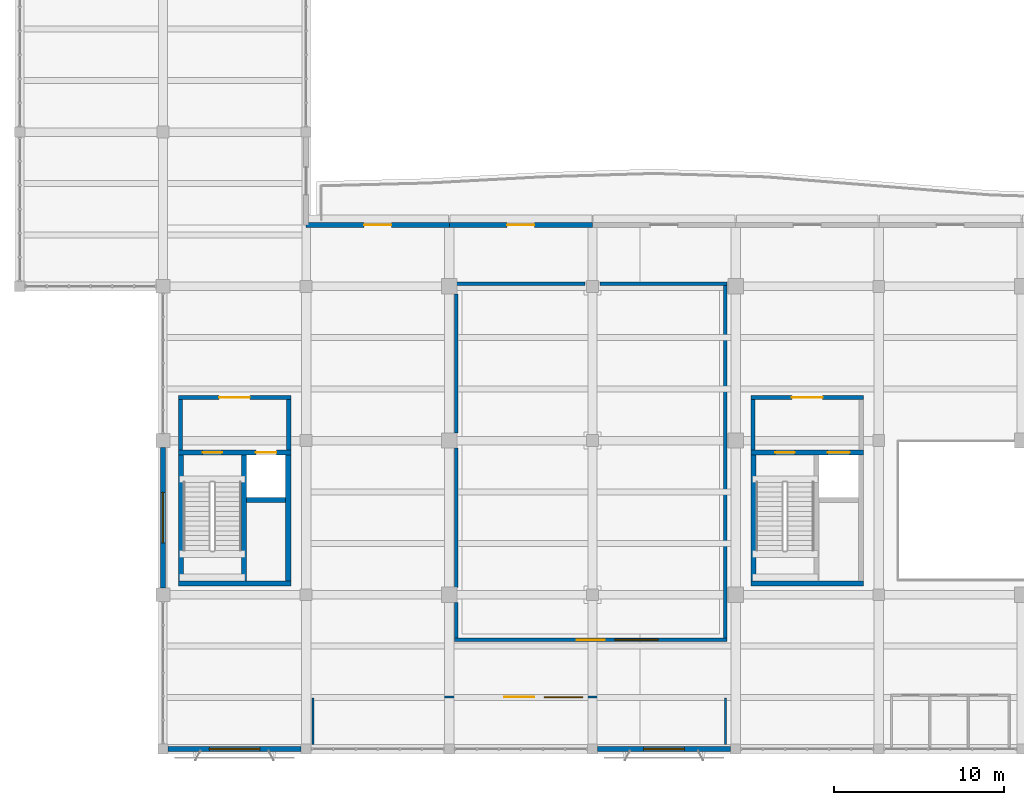
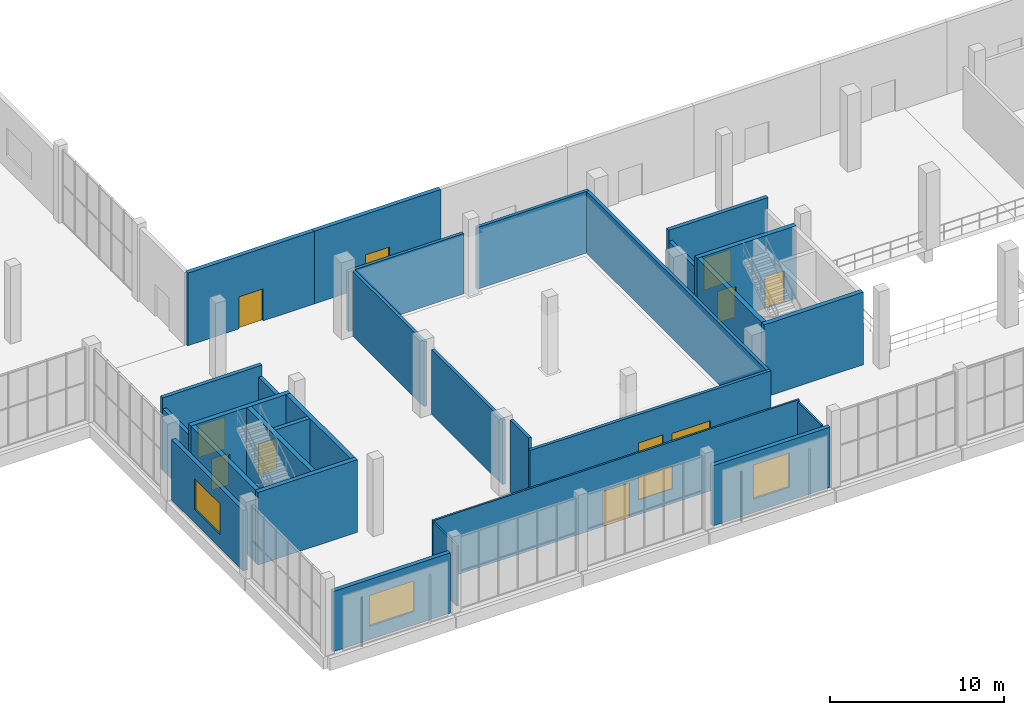
# One storey, part 111 of 132: 29 walls, 10 doors, 5 windows, 15 openings.
"""IFC4 building model written with IfcOpenShell, lengths in metres."""

from ifc_helpers import new_model, si_unit, direction, frame, frame_2d, origin, place, context, subcontext, project, spatial, rectangle, extrude, material, layer, layer_set, type_object, element, fill, save


model = new_model("IFC4")

# Units and contexts
model_context = context("Model", 3, precision=1e-05, world=origin(), true_north=direction((0.0, 1.0)))
body_context = subcontext(model_context, "Body", "Model", "MODEL_VIEW")
ifc_project = project(units=[si_unit("LENGTHUNIT", "METRE"), si_unit("AREAUNIT", "SQUARE_METRE"), si_unit("VOLUMEUNIT", "CUBIC_METRE"), si_unit("PLANEANGLEUNIT", "RADIAN"), si_unit("MASSUNIT", "GRAM", prefix="KILO")], contexts=[model_context])

# Site, building, storey
site_placement = place(None, origin())
site = spatial("IfcSite", under=ifc_project, at=site_placement, CompositionType="ELEMENT")
building_placement = place(site_placement, origin())
building = spatial("IfcBuilding", under=site, at=building_placement, Name="Khurvash Pelagic Aquarium", CompositionType="ELEMENT")
storey_placement = place(building_placement, frame((0.0, 0.0, 5.39990234375)))
storey = spatial("IfcBuildingStorey", under=building, at=storey_placement, Name="L01", CompositionType="ELEMENT", Elevation=5.39990234375)

# Wall, opening, window
ifc_material_1 = material(Name="Glass-fibre reinforced concrete C40/50", Category="concrete")
ifc_layer_1 = layer(ifc_material_1, 0.280029296875)
ifc_layer_set_1 = layer_set([ifc_layer_1], Name="Glass-fibre reinforced concrete C40/50")
wall_type_1 = type_object("IfcWallType", Name="EW-280", PredefinedType="STANDARD", material=ifc_layer_set_1)
wall_1_placement = place(storey_placement, frame((25.199951171875, 20.294921875, 0.0), z_axis=(0.0, 0.0, 1.0), x_axis=(0.0, -1.0, 0.0)))
wall_1 = element("IfcWall", 1, at=wall_1_placement, inside=storey, type_object=wall_type_1, Name="L01 Exterior Architectural Facade Wall EW-280 0038", PredefinedType="STANDARD", context=body_context, shape_type="SweptSolid", body=[
    extrude(rectangle(XDim=8.239990234375, YDim=0.280029296875, at=frame_2d((4.1201171875, 0.0))), origin(), (0.0, 0.0, 1.0), 4.25),
])
opening_1_placement = place(wall_1_placement, frame((2.639892578125, 0.0, 0.9501953125)))
opening_1 = element("IfcOpeningElement", 2, at=opening_1_placement, cuts=wall_1, Name="Opening WN-40", PredefinedType="OPENING", context=body_context, shape_type="SweptSolid", body=[
    extrude(rectangle(XDim=2.9599609375, YDim=2.159912109375, at=frame_2d((1.47998046875, 1.080078125))), frame((0.0, 0.14990234375, 0.0), z_axis=(0.0, -1.0, 0.0), x_axis=(1.0, 0.0, 0.0)), (0.0, 0.0, 1.0), 0.300048828125),
])
ifc_material_2 = material(Name="Thermally broken aluminium and low-E glass", Category="aluminium")
window_type_1 = type_object("IfcWindowType", Name="WN-40", PartitioningType="SINGLE_PANEL", PredefinedType="WINDOW", material=ifc_material_2)
window_1_placement = place(opening_1_placement, origin())
window_1 = element("IfcWindow", 3, at=window_1_placement, inside=storey, type_object=window_type_1, Name="L01 Facade Window WN-40 0018", OverallHeight=2.159912109375, OverallWidth=2.9599609375, PartitioningType="SINGLE_PANEL", PredefinedType="WINDOW", context=body_context, shape_type="SweptSolid", body=[
    extrude(rectangle(XDim=2.9599609375, YDim=2.159912109375, at=frame_2d((1.47998046875, 1.080078125))), frame((0.0, 0.030029296875, 0.0), z_axis=(0.0, -1.0, 0.0), x_axis=(1.0, 0.0, 0.0)), (0.0, 0.0, 1.0), 0.06005859375),
])
fill(opening_1, window_1)

wall_2_placement = place(storey_placement, frame((25.5048828125, 2.60009765625, 0.0), z_axis=(0.0, 0.0, 1.0), x_axis=(1.0, 0.0, 0.0)))
wall_2 = element("IfcWall", 4, at=wall_2_placement, inside=storey, type_object=wall_type_1, Name="L01 Exterior Architectural Facade Wall EW-280 0039", PredefinedType="STANDARD", context=body_context, shape_type="SweptSolid", body=[
    extrude(rectangle(XDim=7.7900390625, YDim=0.280029296875, at=frame_2d((3.89501953125, 0.0))), origin(), (0.0, 0.0, 1.0), 4.22998046875),
])
opening_2_placement = place(wall_2_placement, frame((2.4150390625, 0.0, 0.9501953125)))
opening_2 = element("IfcOpeningElement", 5, at=opening_2_placement, cuts=wall_2, Name="Opening WN-40", PredefinedType="OPENING", context=body_context, shape_type="SweptSolid", body=[
    extrude(rectangle(XDim=2.9599609375, YDim=2.159912109375, at=frame_2d((1.47998046875, 1.080078125))), frame((0.0, 0.14990234375, 0.0), z_axis=(0.0, -1.0, 0.0), x_axis=(1.0, 0.0, 0.0)), (0.0, 0.0, 1.0), 0.300048828125),
])
window_2_placement = place(opening_2_placement, origin())
window_2 = element("IfcWindow", 6, at=window_2_placement, inside=storey, type_object=window_type_1, Name="L01 Facade Window WN-40 0019", OverallHeight=2.159912109375, OverallWidth=2.9599609375, PartitioningType="SINGLE_PANEL", PredefinedType="WINDOW", context=body_context, shape_type="SweptSolid", body=[
    extrude(rectangle(XDim=2.9599609375, YDim=2.159912109375, at=frame_2d((1.47998046875, 1.080078125))), frame((0.0, 0.030029296875, 0.0), z_axis=(0.0, -1.0, 0.0), x_axis=(1.0, 0.0, 0.0)), (0.0, 0.0, 1.0), 0.06005859375),
])
fill(opening_2, window_2)

wall_3_placement = place(storey_placement, frame((50.705078125, 2.60009765625, 0.0), z_axis=(0.0, 0.0, 1.0), x_axis=(1.0, 0.0, 0.0)))
wall_3 = element("IfcWall", 7, at=wall_3_placement, inside=storey, type_object=wall_type_1, Name="L01 Exterior Architectural Facade Wall EW-280 0040", PredefinedType="STANDARD", context=body_context, shape_type="SweptSolid", body=[
    extrude(rectangle(XDim=7.7900390625, YDim=0.280029296875, at=frame_2d((3.89501953125, 0.0))), origin(), (0.0, 0.0, 1.0), 4.22998046875),
])
opening_3_placement = place(wall_3_placement, frame((2.695068359375, 0.0, 0.9501953125)))
opening_3 = element("IfcOpeningElement", 8, at=opening_3_placement, cuts=wall_3, Name="Opening WN-02", PredefinedType="OPENING", context=body_context, shape_type="SweptSolid", body=[
    extrude(rectangle(XDim=2.39990234375, YDim=2.39990234375, at=frame_2d((1.199951171875, 1.199951171875))), frame((0.0, 0.14990234375, 0.0), z_axis=(0.0, -1.0, 0.0), x_axis=(1.0, 0.0, 0.0)), (0.0, 0.0, 1.0), 0.300048828125),
])
window_type_2 = type_object("IfcWindowType", Name="WN-02", PartitioningType="SINGLE_PANEL", PredefinedType="WINDOW", material=ifc_material_2)
window_3_placement = place(opening_3_placement, origin())
window_3 = element("IfcWindow", 9, at=window_3_placement, inside=storey, type_object=window_type_2, Name="L01 Facade Window WN-02 0020", OverallHeight=2.39990234375, OverallWidth=2.39990234375, PartitioningType="SINGLE_PANEL", PredefinedType="WINDOW", context=body_context, shape_type="SweptSolid", body=[
    extrude(rectangle(XDim=2.39990234375, YDim=2.39990234375, at=frame_2d((1.199951171875, 1.199951171875))), frame((0.0, 0.030029296875, 0.0), z_axis=(0.0, -1.0, 0.0), x_axis=(1.0, 0.0, 0.0)), (0.0, 0.0, 1.0), 0.06005859375),
])
fill(opening_3, window_3)

# Wall, opening, door
wall_4_placement = place(storey_placement, frame((50.39990234375, 33.35009765625, 0.0), z_axis=(0.0, 0.0, 1.0), x_axis=(-1.0, 0.0, 0.0)))
wall_4 = element("IfcWall", 10, at=wall_4_placement, inside=storey, type_object=wall_type_1, Name="L01 Exterior Architectural Facade Wall EW-280 0062", PredefinedType="STANDARD", context=body_context, shape_type="SweptSolid", body=[
    extrude(rectangle(XDim=8.39990234375, YDim=0.280029296875, at=frame_2d((4.199951171875, 0.0))), origin(), (0.0, 0.0, 1.0), 5.10009765625),
])
opening_4_placement = place(wall_4_placement, frame((3.39990234375, 0.0, 0.0)))
opening_4 = element("IfcOpeningElement", 11, at=opening_4_placement, cuts=wall_4, Name="Opening ED-03", PredefinedType="OPENING", context=body_context, shape_type="SweptSolid", body=[
    extrude(rectangle(XDim=1.60009765625, YDim=2.25, at=frame_2d((0.800048828125, 1.125))), frame((0.0, 0.14990234375, 0.0), z_axis=(0.0, -1.0, 0.0), x_axis=(1.0, 0.0, 0.0)), (0.0, 0.0, 1.0), 0.300048828125),
])
ifc_material_3 = material(Name="Thermally broken glazed aluminium", Category="aluminium")
door_type_1 = type_object("IfcDoorType", Name="ED-03", OperationType="DOUBLE_DOOR_SINGLE_SWING", PredefinedType="DOOR", material=ifc_material_3)
door_1_placement = place(opening_4_placement, frame((1.60009765625, 0.0, 0.0), z_axis=(0.0, 0.0, 1.0), x_axis=(-1.0, 0.0, 0.0)))
door_1 = element("IfcDoor", 12, at=door_1_placement, inside=storey, type_object=door_type_1, Name="DR-0108", OperationType="DOUBLE_DOOR_SINGLE_SWING", OverallHeight=2.25, OverallWidth=1.60009765625, PredefinedType="DOOR", context=body_context, shape_type="SweptSolid", body=[
    extrude(rectangle(XDim=1.60009765625, YDim=2.25, at=frame_2d((0.800048828125, 1.125))), frame((0.0, 0.02490234375, 0.0), z_axis=(0.0, -1.0, 0.0), x_axis=(1.0, 0.0, 0.0)), (0.0, 0.0, 1.0), 0.050048828125),
])
fill(opening_4, door_1)

wall_5_placement = place(storey_placement, frame((42.0, 33.35009765625, 0.0), z_axis=(0.0, 0.0, 1.0), x_axis=(-1.0, 0.0, 0.0)))
wall_5 = element("IfcWall", 13, at=wall_5_placement, inside=storey, type_object=wall_type_1, Name="L01 Exterior Architectural Facade Wall EW-280 0063", PredefinedType="STANDARD", context=body_context, shape_type="SweptSolid", body=[
    extrude(rectangle(XDim=8.39990234375, YDim=0.280029296875, at=frame_2d((4.199951171875, 0.0))), origin(), (0.0, 0.0, 1.0), 5.10009765625),
])
opening_5_placement = place(wall_5_placement, frame((3.39990234375, 0.0, 0.0)))
opening_5 = element("IfcOpeningElement", 14, at=opening_5_placement, cuts=wall_5, Name="Opening ED-03", PredefinedType="OPENING", context=body_context, shape_type="SweptSolid", body=[
    extrude(rectangle(XDim=1.60009765625, YDim=2.25, at=frame_2d((0.800048828125, 1.125))), frame((0.0, 0.14990234375, 0.0), z_axis=(0.0, -1.0, 0.0), x_axis=(1.0, 0.0, 0.0)), (0.0, 0.0, 1.0), 0.300048828125),
])
door_2_placement = place(opening_5_placement, frame((1.60009765625, 0.0, 0.0), z_axis=(0.0, 0.0, 1.0), x_axis=(-1.0, 0.0, 0.0)))
door_2 = element("IfcDoor", 15, at=door_2_placement, inside=storey, type_object=door_type_1, Name="DR-0109", OperationType="DOUBLE_DOOR_SINGLE_SWING", OverallHeight=2.25, OverallWidth=1.60009765625, PredefinedType="DOOR", context=body_context, shape_type="SweptSolid", body=[
    extrude(rectangle(XDim=1.60009765625, YDim=2.25, at=frame_2d((0.800048828125, 1.125))), frame((0.0, 0.02490234375, 0.0), z_axis=(0.0, -1.0, 0.0), x_axis=(1.0, 0.0, 0.0)), (0.0, 0.0, 1.0), 0.050048828125),
])
fill(opening_5, door_2)

# Wall, openings, door, window
ifc_material_4 = material(Name="Moisture-resistant gypsum and steel stud", Category="steel")
ifc_layer_2 = layer(ifc_material_4, 0.125)
ifc_layer_set_2 = layer_set([ifc_layer_2], Name="Moisture-resistant gypsum and steel stud")
wall_type_2 = type_object("IfcWallType", Name="PW-125", PredefinedType="PARTITIONING", material=ifc_layer_set_2)
wall_6_placement = place(storey_placement, frame((33.93798828125, 5.64990234375, 0.0), z_axis=(0.0, 0.0, 1.0), x_axis=(1.0, 0.0, 0.0)))
wall_6 = element("IfcWall", 16, at=wall_6_placement, inside=storey, type_object=wall_type_2, Name="L01 Arabian Sea Coral Reef Gallery Partition Wall PW-125", PredefinedType="PARTITIONING", context=body_context, shape_type="SweptSolid", body=[
    extrude(rectangle(XDim=24.324951171875, YDim=0.125, at=frame_2d((12.16259765625, 0.0))), origin(), (0.0, 0.0, 1.0), 4.35009765625),
])
opening_6_placement = place(wall_6_placement, frame((11.281982421875, 0.0, 0.0)))
opening_6 = element("IfcOpeningElement", 17, at=opening_6_placement, cuts=wall_6, Name="Opening ID-24", PredefinedType="OPENING", context=body_context, shape_type="SweptSolid", body=[
    extrude(rectangle(XDim=1.760009765625, YDim=2.449951171875, at=frame_2d((0.8798828125, 1.22509765625))), frame((0.0, 0.072509765625, 0.0), z_axis=(0.0, -1.0, 0.0), x_axis=(1.0, 0.0, 0.0)), (0.0, 0.0, 1.0), 0.14501953125),
])
opening_7_placement = place(wall_6_placement, frame((13.64208984375, 0.0, 1.050048828125)))
opening_7 = element("IfcOpeningElement", 18, at=opening_7_placement, cuts=wall_6, Name="Opening IW-09", PredefinedType="OPENING", context=body_context, shape_type="SweptSolid", body=[
    extrude(rectangle(XDim=2.25, YDim=1.60009765625, at=frame_2d((1.125, 0.800048828125))), frame((0.0, 0.072509765625, 0.0), z_axis=(0.0, -1.0, 0.0), x_axis=(1.0, 0.0, 0.0)), (0.0, 0.0, 1.0), 0.14501953125),
])
ifc_material_5 = material(Name="Ocean overlook double door", Category="wood")
door_type_2 = type_object("IfcDoorType", Name="ID-24", OperationType="DOUBLE_DOOR_SINGLE_SWING", PredefinedType="DOOR", material=ifc_material_5)
door_3_placement = place(opening_6_placement, frame((1.760009765625, 0.0, 0.0), z_axis=(0.0, 0.0, 1.0), x_axis=(-1.0, 0.0, 0.0)))
door_3 = element("IfcDoor", 19, at=door_3_placement, inside=storey, type_object=door_type_2, Name="DR-0114", OperationType="DOUBLE_DOOR_SINGLE_SWING", OverallHeight=2.449951171875, OverallWidth=1.760009765625, PredefinedType="DOOR", context=body_context, shape_type="SweptSolid", body=[
    extrude(rectangle(XDim=1.760009765625, YDim=2.449951171875, at=frame_2d((0.8798828125, 1.22509765625))), frame((0.0, 0.02490234375, 0.0), z_axis=(0.0, -1.0, 0.0), x_axis=(1.0, 0.0, 0.0)), (0.0, 0.0, 1.0), 0.050048828125),
])
fill(opening_6, door_3)
ifc_material_6 = material(Name="Acoustic laminated interior observation glazing", Category="glass")
window_type_3 = type_object("IfcWindowType", Name="IW-09", PartitioningType="SINGLE_PANEL", PredefinedType="WINDOW", material=ifc_material_6)
window_4_placement = place(opening_7_placement, origin())
window_4 = element("IfcWindow", 20, at=window_4_placement, inside=storey, type_object=window_type_3, Name="L01 Arabian Sea Coral Reef Gallery Observation Window IW-09", OverallHeight=1.60009765625, OverallWidth=2.25, PartitioningType="SINGLE_PANEL", PredefinedType="WINDOW", context=body_context, shape_type="SweptSolid", body=[
    extrude(rectangle(XDim=2.25, YDim=1.60009765625, at=frame_2d((1.125, 0.800048828125))), frame((0.0, 0.030029296875, 0.0), z_axis=(0.0, -1.0, 0.0), x_axis=(1.0, 0.0, 0.0)), (0.0, 0.0, 1.0), 0.06005859375),
])
fill(opening_7, window_4)

# Walls
for number, where, z_axis, x_axis, name in (
    (21, (58.199951171875, 2.862060546875, 0.0), (0.0, 0.0, 1.0), (0.0, 1.0, 0.0), "L01 Arabian Sea Coral Reef Gallery Partition Wall PW-125"),
    (22, (34.0, 2.862060546875, 0.0), (0.0, 0.0, 1.0), (0.0, 1.0, 0.0), "L01 Arabian Sea Coral Reef Gallery Partition Wall PW-125"),
):
    element("IfcWall", number, at=place(storey_placement, frame(where, z_axis=z_axis, x_axis=x_axis)), inside=storey, type_object=wall_type_2, Name=name, PredefinedType="PARTITIONING", context=body_context, shape_type="SweptSolid", body=[
        extrude(rectangle(XDim=2.725830078125, YDim=0.125, at=frame_2d((1.36279296875, 0.0))), origin(), (0.0, 0.0, 1.0), 4.22998046875),
    ])

# Wall, openings, door, window
ifc_material_7 = material(Name="AAC blockwork", Category="masonry")
ifc_layer_3 = layer(ifc_material_7, 0.199951171875)
ifc_layer_set_3 = layer_set([ifc_layer_3], Name="AAC blockwork")
wall_type_3 = type_object("IfcWallType", Name="PW-200", PredefinedType="PARTITIONING", material=ifc_layer_set_3)
wall_7_placement = place(storey_placement, frame((42.300048828125, 9.0, 0.0), z_axis=(0.0, 0.0, 1.0), x_axis=(1.0, 0.0, 0.0)))
wall_7 = element("IfcWall", 23, at=wall_7_placement, inside=storey, type_object=wall_type_3, Name="L01 Makran Coast Kelp and Rocky Shore Gallery Partition Wall PW-200", PredefinedType="PARTITIONING", context=body_context, shape_type="SweptSolid", body=[
    extrude(rectangle(XDim=16.0, YDim=0.199951171875, at=frame_2d((8.0, 0.0))), origin(), (0.0, 0.0, 1.0), 4.35009765625),
])
opening_8_placement = place(wall_7_placement, frame((7.18994140625, 0.0, 0.0)))
opening_8 = element("IfcOpeningElement", 24, at=opening_8_placement, cuts=wall_7, Name="Opening ID-33", PredefinedType="OPENING", context=body_context, shape_type="SweptSolid", body=[
    extrude(rectangle(XDim=1.6201171875, YDim=2.360107421875, at=frame_2d((0.81005859375, 1.18017578125))), frame((0.0, 0.10986328125, 0.0), z_axis=(0.0, -1.0, 0.0), x_axis=(1.0, 0.0, 0.0)), (0.0, 0.0, 1.0), 0.219970703125),
])
opening_9_placement = place(wall_7_placement, frame((9.409912109375, 0.0, 1.050048828125)))
opening_9 = element("IfcOpeningElement", 25, at=opening_9_placement, cuts=wall_7, Name="Opening IW-10", PredefinedType="OPENING", context=body_context, shape_type="SweptSolid", body=[
    extrude(rectangle(XDim=2.550048828125, YDim=1.199951171875, at=frame_2d((1.27490234375, 0.60009765625))), frame((0.0, 0.10986328125, 0.0), z_axis=(0.0, -1.0, 0.0), x_axis=(1.0, 0.0, 0.0)), (0.0, 0.0, 1.0), 0.219970703125),
])
ifc_material_8 = material(Name="Gallery link double door", Category="wood")
door_type_3 = type_object("IfcDoorType", Name="ID-33", OperationType="DOUBLE_DOOR_SINGLE_SWING", PredefinedType="DOOR", material=ifc_material_8)
door_4_placement = place(opening_8_placement, origin())
door_4 = element("IfcDoor", 26, at=door_4_placement, inside=storey, type_object=door_type_3, Name="DR-0115", OperationType="DOUBLE_DOOR_SINGLE_SWING", OverallHeight=2.360107421875, OverallWidth=1.6201171875, PredefinedType="DOOR", context=body_context, shape_type="SweptSolid", body=[
    extrude(rectangle(XDim=1.6201171875, YDim=2.360107421875, at=frame_2d((0.81005859375, 1.18017578125))), frame((0.0, 0.02490234375, 0.0), z_axis=(0.0, -1.0, 0.0), x_axis=(1.0, 0.0, 0.0)), (0.0, 0.0, 1.0), 0.050048828125),
])
fill(opening_8, door_4)
window_type_4 = type_object("IfcWindowType", Name="IW-10", PartitioningType="SINGLE_PANEL", PredefinedType="WINDOW", material=ifc_material_6)
window_5_placement = place(opening_9_placement, origin())
window_5 = element("IfcWindow", 27, at=window_5_placement, inside=storey, type_object=window_type_4, Name="L01 Makran Coast Kelp and Rocky Shore Gallery Observation Window IW-10", OverallHeight=1.199951171875, OverallWidth=2.550048828125, PartitioningType="SINGLE_PANEL", PredefinedType="WINDOW", context=body_context, shape_type="SweptSolid", body=[
    extrude(rectangle(XDim=2.550048828125, YDim=1.199951171875, at=frame_2d((1.27490234375, 0.60009765625))), frame((0.0, 0.030029296875, 0.0), z_axis=(0.0, -1.0, 0.0), x_axis=(1.0, 0.0, 0.0)), (0.0, 0.0, 1.0), 0.06005859375),
])
fill(opening_9, window_5)

# Walls
wall_8_placement = place(storey_placement, frame((42.300048828125, 29.89990234375, 0.0), z_axis=(0.0, 0.0, 1.0), x_axis=(1.0, 0.0, 0.0)))
element("IfcWall", 28, at=wall_8_placement, inside=storey, type_object=wall_type_3, Name="L01 Makran Coast Kelp and Rocky Shore Gallery Partition Wall PW-200", PredefinedType="PARTITIONING", context=body_context, shape_type="SweptSolid", body=[
    extrude(rectangle(XDim=7.659912109375, YDim=0.199951171875, at=frame_2d((3.830078125, 0.0))), origin(), (0.0, 0.0, 1.0), 4.22998046875),
])
wall_9_placement = place(storey_placement, frame((50.840087890625, 29.89990234375, 0.0), z_axis=(0.0, 0.0, 1.0), x_axis=(1.0, 0.0, 0.0)))
element("IfcWall", 29, at=wall_9_placement, inside=storey, type_object=wall_type_3, Name="L01 Makran Coast Kelp and Rocky Shore Gallery Partition Wall PW-200", PredefinedType="PARTITIONING", context=body_context, shape_type="SweptSolid", body=[
    extrude(rectangle(XDim=7.4599609375, YDim=0.199951171875, at=frame_2d((3.72998046875, 0.0))), origin(), (0.0, 0.0, 1.0), 4.330078125),
])
wall_10_placement = place(storey_placement, frame((58.199951171875, 9.10009765625, 0.0), z_axis=(0.0, 0.0, 1.0), x_axis=(0.0, 1.0, 0.0)))
element("IfcWall", 30, at=wall_10_placement, inside=storey, type_object=wall_type_3, Name="L01 Makran Coast Kelp and Rocky Shore Gallery Partition Wall PW-200", PredefinedType="PARTITIONING", context=body_context, shape_type="SweptSolid", body=[
    extrude(rectangle(XDim=20.699951171875, YDim=0.199951171875, at=frame_2d((10.35009765625, 0.0))), origin(), (0.0, 0.0, 1.0), 4.330078125),
])
wall_11_placement = place(storey_placement, frame((42.39990234375, 9.10009765625, 0.0), z_axis=(0.0, 0.0, 1.0), x_axis=(0.0, 1.0, 0.0)))
element("IfcWall", 31, at=wall_11_placement, inside=storey, type_object=wall_type_3, Name="L01 Makran Coast Kelp and Rocky Shore Gallery Partition Wall PW-200", PredefinedType="PARTITIONING", context=body_context, shape_type="SweptSolid", body=[
    extrude(rectangle(XDim=2.10986328125, YDim=0.199951171875, at=frame_2d((1.054931640625, 0.0))), origin(), (0.0, 0.0, 1.0), 5.10009765625),
])
wall_12_placement = place(storey_placement, frame((42.39990234375, 12.090087890625, 0.0), z_axis=(0.0, 0.0, 1.0), x_axis=(0.0, 1.0, 0.0)))
element("IfcWall", 32, at=wall_12_placement, inside=storey, type_object=wall_type_3, Name="L01 Makran Coast Kelp and Rocky Shore Gallery Partition Wall PW-200", PredefinedType="PARTITIONING", context=body_context, shape_type="SweptSolid", body=[
    extrude(rectangle(XDim=8.169921875, YDim=0.199951171875, at=frame_2d((4.0849609375, 0.0))), origin(), (0.0, 0.0, 1.0), 4.550048828125),
])
wall_13_placement = place(storey_placement, frame((42.39990234375, 21.139892578125, 0.0), z_axis=(0.0, 0.0, 1.0), x_axis=(0.0, 1.0, 0.0)))
element("IfcWall", 33, at=wall_13_placement, inside=storey, type_object=wall_type_3, Name="L01 Makran Coast Kelp and Rocky Shore Gallery Partition Wall PW-200", PredefinedType="PARTITIONING", context=body_context, shape_type="SweptSolid", body=[
    extrude(rectangle(XDim=8.170166015625, YDim=0.199951171875, at=frame_2d((4.0849609375, 0.0))), origin(), (0.0, 0.0, 1.0), 4.550048828125),
])

# Wall, opening, door
ifc_layer_4 = layer(ifc_material_7, 0.25)
ifc_layer_set_4 = layer_set([ifc_layer_4], Name="AAC blockwork")
wall_type_4 = type_object("IfcWallType", Name="PW-250", PredefinedType="PARTITIONING", material=ifc_layer_set_4)
wall_14_placement = place(storey_placement, frame((26.10009765625, 23.22509765625, 0.0), z_axis=(0.0, 0.0, 1.0), x_axis=(1.0, 0.0, 0.0)))
wall_14 = element("IfcWall", 34, at=wall_14_placement, inside=storey, type_object=wall_type_4, Name="L01 Core C1 Lobby Front Fire Wall PW-250", PredefinedType="PARTITIONING", context=body_context, shape_type="SweptSolid", body=[
    extrude(rectangle(XDim=6.599853515625, YDim=0.25, at=frame_2d((3.2998046875, 0.0))), origin(), (0.0, 0.0, 1.0), 5.10009765625),
])
opening_10_placement = place(wall_14_placement, frame((2.39990234375, 0.0, 0.0)))
opening_10 = element("IfcOpeningElement", 35, at=opening_10_placement, cuts=wall_14, Name="Opening FD-02", PredefinedType="OPENING", context=body_context, shape_type="SweptSolid", body=[
    extrude(rectangle(XDim=1.800048828125, YDim=2.25, at=frame_2d((0.89990234375, 1.125))), frame((0.0, 0.135009765625, 0.0), z_axis=(0.0, -1.0, 0.0), x_axis=(1.0, 0.0, 0.0)), (0.0, 0.0, 1.0), 0.27001953125),
])
ifc_material_9 = material(Name="Galvanised steel double fire door", Category="steel")
door_type_4 = type_object("IfcDoorType", Name="FD-02", OperationType="DOUBLE_DOOR_SINGLE_SWING", PredefinedType="DOOR", material=ifc_material_9)
door_5_placement = place(opening_10_placement, origin())
door_5 = element("IfcDoor", 36, at=door_5_placement, inside=storey, type_object=door_type_4, Name="DR-0126", OperationType="DOUBLE_DOOR_SINGLE_SWING", OverallHeight=2.25, OverallWidth=1.800048828125, PredefinedType="DOOR", context=body_context, shape_type="SweptSolid", body=[
    extrude(rectangle(XDim=1.800048828125, YDim=2.25, at=frame_2d((0.89990234375, 1.125))), frame((0.0, 0.02490234375, 0.0), z_axis=(0.0, -1.0, 0.0), x_axis=(1.0, 0.0, 0.0)), (0.0, 0.0, 1.0), 0.050048828125),
])
fill(opening_10, door_5)

# Walls
for number, where, z_axis, x_axis, name in (
    (37, (26.22509765625, 20.14990234375, 0.0), (0.0, 0.0, 1.0), (0.0, 1.0, 0.0), "L01 Core C1 Lobby West Fire Wall PW-250"),
    (38, (32.574951171875, 20.14990234375, 0.0), (0.0, 0.0, 1.0), (0.0, 1.0, 0.0), "L01 Core C1 Lobby East Fire Wall PW-250"),
):
    element("IfcWall", number, at=place(storey_placement, frame(where, z_axis=z_axis, x_axis=x_axis)), inside=storey, type_object=wall_type_4, Name=name, PredefinedType="PARTITIONING", context=body_context, shape_type="SweptSolid", body=[
        extrude(rectangle(XDim=2.9501953125, YDim=0.25, at=frame_2d((1.47509765625, 0.0))), origin(), (0.0, 0.0, 1.0), 4.330078125),
    ])

# Wall, opening, door
wall_15_placement = place(storey_placement, frame((59.699951171875, 23.22509765625, 0.0), z_axis=(0.0, 0.0, 1.0), x_axis=(1.0, 0.0, 0.0)))
wall_15 = element("IfcWall", 39, at=wall_15_placement, inside=storey, type_object=wall_type_4, Name="L01 Core C2 Lobby Front Fire Wall PW-250", PredefinedType="PARTITIONING", context=body_context, shape_type="SweptSolid", body=[
    extrude(rectangle(XDim=6.60009765625, YDim=0.25, at=frame_2d((3.300048828125, 0.0))), origin(), (0.0, 0.0, 1.0), 5.10009765625),
])
opening_11_placement = place(wall_15_placement, frame((2.39990234375, 0.0, 0.0)))
opening_11 = element("IfcOpeningElement", 40, at=opening_11_placement, cuts=wall_15, Name="Opening FD-02", PredefinedType="OPENING", context=body_context, shape_type="SweptSolid", body=[
    extrude(rectangle(XDim=1.800048828125, YDim=2.25, at=frame_2d((0.89990234375, 1.125))), frame((0.0, 0.135009765625, 0.0), z_axis=(0.0, -1.0, 0.0), x_axis=(1.0, 0.0, 0.0)), (0.0, 0.0, 1.0), 0.27001953125),
])
door_6_placement = place(opening_11_placement, origin())
door_6 = element("IfcDoor", 41, at=door_6_placement, inside=storey, type_object=door_type_4, Name="DR-0127", OperationType="DOUBLE_DOOR_SINGLE_SWING", OverallHeight=2.25, OverallWidth=1.800048828125, PredefinedType="DOOR", context=body_context, shape_type="SweptSolid", body=[
    extrude(rectangle(XDim=1.800048828125, YDim=2.25, at=frame_2d((0.89990234375, 1.125))), frame((0.0, 0.02490234375, 0.0), z_axis=(0.0, -1.0, 0.0), x_axis=(1.0, 0.0, 0.0)), (0.0, 0.0, 1.0), 0.050048828125),
])
fill(opening_11, door_6)

# Walls
wall_16_placement = place(storey_placement, frame((59.824951171875, 20.14990234375, 0.0), z_axis=(0.0, 0.0, 1.0), x_axis=(0.0, 1.0, 0.0)))
element("IfcWall", 42, at=wall_16_placement, inside=storey, type_object=wall_type_4, Name="L01 Core C2 Lobby West Fire Wall PW-250", PredefinedType="PARTITIONING", context=body_context, shape_type="SweptSolid", body=[
    extrude(rectangle(XDim=2.9501953125, YDim=0.25, at=frame_2d((1.47509765625, 0.0))), origin(), (0.0, 0.0, 1.0), 4.330078125),
])
ifc_material_10 = material(Name="Concrete C40/50", Category="concrete")
ifc_layer_5 = layer(ifc_material_10, 0.27490234375)
ifc_layer_set_5 = layer_set([ifc_layer_5], Name="Concrete C40/50")
wall_type_5 = type_object("IfcWallType", Name="SW-275", PredefinedType="SHEAR", material=ifc_layer_set_5)
wall_17_placement = place(storey_placement, frame((30.10009765625, 17.212890625, 0.0), z_axis=(0.0, 0.0, 1.0), x_axis=(1.0, 0.0, 0.0)))
element("IfcWall", 43, at=wall_17_placement, inside=storey, type_object=wall_type_5, Name="L01 Lift FL-01 Shaft Rear Shear Wall SW-275", PredefinedType="SHEAR", context=body_context, shape_type="SweptSolid", body=[
    extrude(rectangle(XDim=2.2998046875, YDim=0.27490234375, at=frame_2d((1.14990234375, 0.0))), origin(), (0.0, 0.0, 1.0), 5.10009765625),
])
ifc_layer_6 = layer(ifc_material_10, 0.300048828125)
ifc_layer_set_6 = layer_set([ifc_layer_6], Name="Concrete C40/50")
wall_type_6 = type_object("IfcWallType", Name="SW-300", PredefinedType="SHEAR", material=ifc_layer_set_6)
wall_18_placement = place(storey_placement, frame((26.10009765625, 12.300048828125, 0.0), z_axis=(0.0, 0.0, 1.0), x_axis=(1.0, 0.0, 0.0)))
element("IfcWall", 44, at=wall_18_placement, inside=storey, type_object=wall_type_6, Name="L01 Core C1 South Shear Wall SW-300", PredefinedType="SHEAR", context=body_context, shape_type="SweptSolid", body=[
    extrude(rectangle(XDim=6.599853515625, YDim=0.300048828125, at=frame_2d((3.2998046875, 0.0))), origin(), (0.0, 0.0, 1.0), 5.10009765625),
])

# Wall, openings, doors
wall_19_placement = place(storey_placement, frame((26.10009765625, 20.0, 0.0), z_axis=(0.0, 0.0, 1.0), x_axis=(1.0, 0.0, 0.0)))
wall_19 = element("IfcWall", 45, at=wall_19_placement, inside=storey, type_object=wall_type_6, Name="L01 Core C1 North Shear Wall SW-300", PredefinedType="SHEAR", context=body_context, shape_type="SweptSolid", body=[
    extrude(rectangle(XDim=6.599853515625, YDim=0.300048828125, at=frame_2d((3.2998046875, 0.0))), origin(), (0.0, 0.0, 1.0), 5.10009765625),
])
opening_12_placement = place(wall_19_placement, frame((1.425048828125, 0.0, 0.0)))
opening_12 = element("IfcOpeningElement", 46, at=opening_12_placement, cuts=wall_19, Name="Opening FD-01", PredefinedType="OPENING", context=body_context, shape_type="SweptSolid", body=[
    extrude(rectangle(XDim=1.14990234375, YDim=2.199951171875, at=frame_2d((0.574951171875, 1.10009765625))), frame((0.0, 0.16015625, 0.0), z_axis=(0.0, -1.0, 0.0), x_axis=(1.0, 0.0, 0.0)), (0.0, 0.0, 1.0), 0.320068359375),
])
opening_13_placement = place(wall_19_placement, frame((4.550048828125, 0.0, 0.0)))
opening_13 = element("IfcOpeningElement", 47, at=opening_13_placement, cuts=wall_19, Name="Opening LD-01", PredefinedType="OPENING", context=body_context, shape_type="SweptSolid", body=[
    extrude(rectangle(XDim=1.199951171875, YDim=2.14990234375, at=frame_2d((0.60009765625, 1.074951171875))), frame((0.0, 0.16015625, 0.0), z_axis=(0.0, -1.0, 0.0), x_axis=(1.0, 0.0, 0.0)), (0.0, 0.0, 1.0), 0.320068359375),
])
ifc_material_11 = material(Name="Galvanised steel fire door", Category="steel")
door_type_5 = type_object("IfcDoorType", Name="FD-01", OperationType="NOTDEFINED", PredefinedType="DOOR", material=ifc_material_11)
door_7_placement = place(opening_12_placement, frame((1.14990234375, 0.0, 0.0), z_axis=(0.0, 0.0, 1.0), x_axis=(-1.0, 0.0, 0.0)))
door_7 = element("IfcDoor", 48, at=door_7_placement, inside=storey, type_object=door_type_5, Name="DR-0090", OperationType="SINGLE_SWING_LEFT", OverallHeight=2.199951171875, OverallWidth=1.14990234375, PredefinedType="DOOR", context=body_context, shape_type="SweptSolid", body=[
    extrude(rectangle(XDim=1.14990234375, YDim=2.199951171875, at=frame_2d((0.574951171875, 1.10009765625))), frame((0.0, 0.02490234375, 0.0), z_axis=(0.0, -1.0, 0.0), x_axis=(1.0, 0.0, 0.0)), (0.0, 0.0, 1.0), 0.050048828125),
])
fill(opening_12, door_7)
ifc_material_12 = material(Name="Brushed stainless steel 316 lift landing door", Category="steel")
door_type_6 = type_object("IfcDoorType", Name="LD-01", OperationType="DOUBLE_DOOR_SLIDING", PredefinedType="DOOR", material=ifc_material_12)
door_8_placement = place(opening_13_placement, origin())
door_8 = element("IfcDoor", 49, at=door_8_placement, inside=storey, type_object=door_type_6, Name="DR-0096", OperationType="DOUBLE_DOOR_SLIDING", OverallHeight=2.14990234375, OverallWidth=1.199951171875, PredefinedType="DOOR", context=body_context, shape_type="SweptSolid", body=[
    extrude(rectangle(XDim=1.199951171875, YDim=2.14990234375, at=frame_2d((0.60009765625, 1.074951171875))), frame((0.0, 0.02490234375, 0.0), z_axis=(0.0, -1.0, 0.0), x_axis=(1.0, 0.0, 0.0)), (0.0, 0.0, 1.0), 0.050048828125),
])
fill(opening_13, door_8)

# Walls
for number, where, z_axis, x_axis, name in (
    (50, (26.25, 12.449951171875, 0.0), (0.0, 0.0, 1.0), (0.0, 1.0, 0.0), "L01 Core C1 West Shear Wall SW-300"),
    (51, (32.550048828125, 12.449951171875, 0.0), (0.0, 0.0, 1.0), (0.0, 1.0, 0.0), "L01 Core C1 East Shear Wall SW-300"),
    (52, (29.949951171875, 12.449951171875, 0.0), (0.0, 0.0, 1.0), (0.0, 1.0, 0.0), "L01 Core C1 Divider Shear Wall SW-300"),
):
    element("IfcWall", number, at=place(storey_placement, frame(where, z_axis=z_axis, x_axis=x_axis)), inside=storey, type_object=wall_type_6, Name=name, PredefinedType="SHEAR", context=body_context, shape_type="SweptSolid", body=[
        extrude(rectangle(XDim=7.400146484375, YDim=0.300048828125, at=frame_2d((3.7001953125, 0.0))), origin(), (0.0, 0.0, 1.0), 5.10009765625),
    ])
wall_20_placement = place(storey_placement, frame((59.699951171875, 12.300048828125, 0.0), z_axis=(0.0, 0.0, 1.0), x_axis=(1.0, 0.0, 0.0)))
element("IfcWall", 53, at=wall_20_placement, inside=storey, type_object=wall_type_6, Name="L01 Core C2 South Shear Wall SW-300", PredefinedType="SHEAR", context=body_context, shape_type="SweptSolid", body=[
    extrude(rectangle(XDim=6.60009765625, YDim=0.300048828125, at=frame_2d((3.300048828125, 0.0))), origin(), (0.0, 0.0, 1.0), 5.10009765625),
])

# Wall, openings, doors
wall_21_placement = place(storey_placement, frame((59.699951171875, 20.0, 0.0), z_axis=(0.0, 0.0, 1.0), x_axis=(1.0, 0.0, 0.0)))
wall_21 = element("IfcWall", 54, at=wall_21_placement, inside=storey, type_object=wall_type_6, Name="L01 Core C2 North Shear Wall SW-300", PredefinedType="SHEAR", context=body_context, shape_type="SweptSolid", body=[
    extrude(rectangle(XDim=6.60009765625, YDim=0.300048828125, at=frame_2d((3.300048828125, 0.0))), origin(), (0.0, 0.0, 1.0), 5.10009765625),
])
opening_14_placement = place(wall_21_placement, frame((1.425048828125, 0.0, 0.0)))
opening_14 = element("IfcOpeningElement", 55, at=opening_14_placement, cuts=wall_21, Name="Opening FD-01", PredefinedType="OPENING", context=body_context, shape_type="SweptSolid", body=[
    extrude(rectangle(XDim=1.14990234375, YDim=2.199951171875, at=frame_2d((0.574951171875, 1.10009765625))), frame((0.0, 0.16015625, 0.0), z_axis=(0.0, -1.0, 0.0), x_axis=(1.0, 0.0, 0.0)), (0.0, 0.0, 1.0), 0.320068359375),
])
opening_15_placement = place(wall_21_placement, frame((4.5, 0.0, 0.0)))
opening_15 = element("IfcOpeningElement", 56, at=opening_15_placement, cuts=wall_21, Name="Opening LD-02", PredefinedType="OPENING", context=body_context, shape_type="SweptSolid", body=[
    extrude(rectangle(XDim=1.300048828125, YDim=2.199951171875, at=frame_2d((0.64990234375, 1.10009765625))), frame((0.0, 0.16015625, 0.0), z_axis=(0.0, -1.0, 0.0), x_axis=(1.0, 0.0, 0.0)), (0.0, 0.0, 1.0), 0.320068359375),
])
door_9_placement = place(opening_14_placement, frame((1.14990234375, 0.0, 0.0), z_axis=(0.0, 0.0, 1.0), x_axis=(-1.0, 0.0, 0.0)))
door_9 = element("IfcDoor", 57, at=door_9_placement, inside=storey, type_object=door_type_5, Name="DR-0091", OperationType="SINGLE_SWING_LEFT", OverallHeight=2.199951171875, OverallWidth=1.14990234375, PredefinedType="DOOR", context=body_context, shape_type="SweptSolid", body=[
    extrude(rectangle(XDim=1.14990234375, YDim=2.199951171875, at=frame_2d((0.574951171875, 1.10009765625))), frame((0.0, 0.02490234375, 0.0), z_axis=(0.0, -1.0, 0.0), x_axis=(1.0, 0.0, 0.0)), (0.0, 0.0, 1.0), 0.050048828125),
])
fill(opening_14, door_9)
door_type_7 = type_object("IfcDoorType", Name="LD-02", OperationType="DOUBLE_DOOR_SLIDING", PredefinedType="DOOR", material=ifc_material_12)
door_10_placement = place(opening_15_placement, origin())
door_10 = element("IfcDoor", 58, at=door_10_placement, inside=storey, type_object=door_type_7, Name="DR-0097", OperationType="DOUBLE_DOOR_SLIDING", OverallHeight=2.199951171875, OverallWidth=1.300048828125, PredefinedType="DOOR", context=body_context, shape_type="SweptSolid", body=[
    extrude(rectangle(XDim=1.300048828125, YDim=2.199951171875, at=frame_2d((0.64990234375, 1.10009765625))), frame((0.0, 0.02490234375, 0.0), z_axis=(0.0, -1.0, 0.0), x_axis=(1.0, 0.0, 0.0)), (0.0, 0.0, 1.0), 0.050048828125),
])
fill(opening_15, door_10)

# Wall
wall_22_placement = place(storey_placement, frame((59.85009765625, 12.449951171875, 0.0), z_axis=(0.0, 0.0, 1.0), x_axis=(0.0, 1.0, 0.0)))
element("IfcWall", 59, at=wall_22_placement, inside=storey, type_object=wall_type_6, Name="L01 Core C2 West Shear Wall SW-300", PredefinedType="SHEAR", context=body_context, shape_type="SweptSolid", body=[
    extrude(rectangle(XDim=7.400146484375, YDim=0.300048828125, at=frame_2d((3.7001953125, 0.0))), origin(), (0.0, 0.0, 1.0), 5.10009765625),
])

save(model, "model.ifc")
